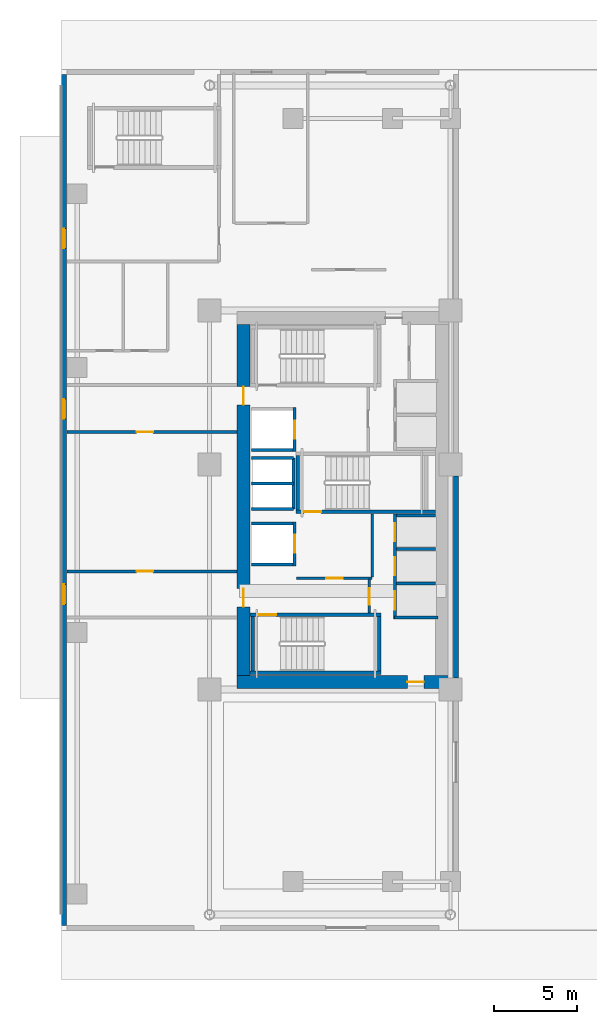
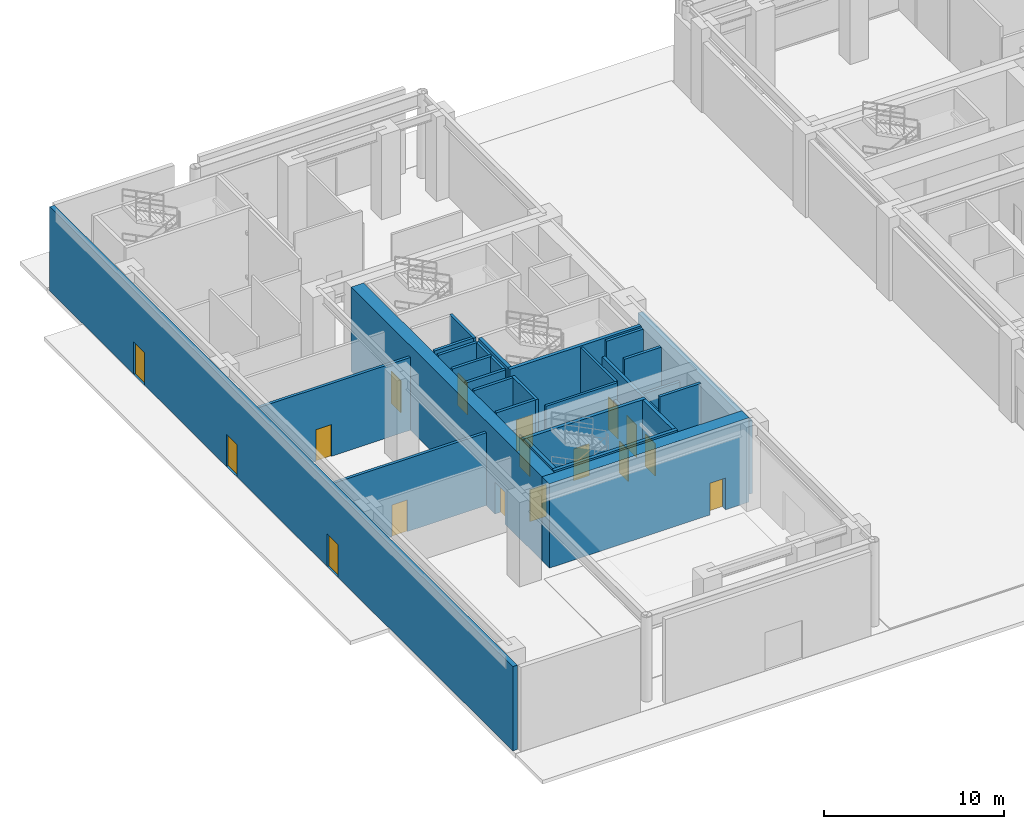
# One storey, part 5 of 17: 29 walls, 17 doors, 17 openings.
"""IFC4 building model written with IfcOpenShell, lengths in metres."""

from ifc_helpers import new_model, si_unit, direction, frame, frame_2d, origin, place, context, subcontext, project, spatial, rectangle, extrude, source, transform, mapped, material, layer, layer_set, type_object, element, fill, save


model = new_model("IFC4")

# Units and contexts
model_context = context("Model", 3, precision=1e-05, world=origin(), true_north=direction((0.0, 1.0)))
body_context = subcontext(model_context, "Body", "Model", "MODEL_VIEW")
ifc_project = project(units=[si_unit("LENGTHUNIT", "METRE"), si_unit("AREAUNIT", "SQUARE_METRE"), si_unit("VOLUMEUNIT", "CUBIC_METRE"), si_unit("PLANEANGLEUNIT", "RADIAN"), si_unit("MASSUNIT", "GRAM", prefix="KILO")], contexts=[model_context])

# Site, building, storey
site_placement = place(None, origin())
site = spatial("IfcSite", under=ifc_project, at=site_placement, CompositionType="ELEMENT")
building_placement = place(site_placement, origin())
building = spatial("IfcBuilding", under=site, at=building_placement, Name="Ocotamira Hotel", CompositionType="ELEMENT")
storey_placement = place(building_placement, origin())
storey = spatial("IfcBuildingStorey", under=building, at=storey_placement, Name="L01", CompositionType="ELEMENT", Elevation=0.0)

# Wall, opening, door
ifc_material_1 = material(Name="Concrete C60/75", Category="concrete")
ifc_layer_1 = layer(ifc_material_1, 0.800048828125)
ifc_layer_set_1 = layer_set([ifc_layer_1], Name="Concrete C60/75")
wall_type_1 = type_object("IfcWallType", Name="WL-CORE-800", PredefinedType="SHEAR", material=ifc_layer_set_1)
wall_1_placement = place(storey_placement, frame((10.60009765625, 15.0, 0.0), z_axis=(0.0, 0.0, 1.0), x_axis=(1.0, 0.0, 0.0)))
wall_1 = element("IfcWall", 1, at=wall_1_placement, inside=storey, type_object=wall_type_1, Name="L01 Shear Core Wall WCORE-S", PredefinedType="SHEAR", context=body_context, shape_type="SweptSolid", body=[
    extrude(rectangle(XDim=12.7998046875, YDim=0.800048828125, at=frame_2d((6.39990234375, 0.0))), origin(), (0.0, 0.0, 1.0), 5.7099609375),
])
opening_1_placement = place(wall_1_placement, frame((10.300048828125, 0.0, 0.0)))
opening_1 = element("IfcOpeningElement", 2, at=opening_1_placement, cuts=wall_1, Name="Opening D-FR2", PredefinedType="OPENING", context=body_context, shape_type="SweptSolid", body=[
    extrude(rectangle(XDim=1.0, YDim=2.14990234375, at=frame_2d((0.5, 1.074951171875))), frame((0.0, 0.41015625, 0.0), z_axis=(0.0, -1.0, 0.0), x_axis=(1.0, 0.0, 0.0)), (0.0, 0.0, 1.0), 0.820068359375),
])
ifc_material_2 = material(Name="Fire-rated acoustic timber-veneer door", Category="wood")
door_type_1 = type_object("IfcDoorType", Name="DR-FIRE-1000", OperationType="NOTDEFINED", PredefinedType="DOOR", material=ifc_material_2)
shared_shape_1 = source(origin(), body_context, "Body", "SweptSolid", [
    extrude(rectangle(XDim=1.0, YDim=2.14990234375, at=frame_2d((0.5, 1.074951171875))), frame((0.0, 0.02490234375, 0.0), z_axis=(0.0, -1.0, 0.0), x_axis=(1.0, 0.0, 0.0)), (0.0, 0.0, 1.0), 0.050048828125),
])
door_1_placement = place(opening_1_placement, origin())
door_1 = element("IfcDoor", 3, at=door_1_placement, inside=storey, type_object=door_type_1, Name="L01 Door ID-L01-WLOB-S-D [ID-L01-WLOB-S-D]", OperationType="SINGLE_SWING_LEFT", OverallHeight=2.14990234375, OverallWidth=1.0, PredefinedType="DOOR", context=body_context, shape_type="MappedRepresentation", body=[
    mapped(shared_shape_1, transform((0.0, 0.0, 0.0), scale=1.0)),
])
fill(opening_1, door_1)

# Wall, openings, doors
wall_2_placement = place(storey_placement, frame((11.0, 15.39990234375, 0.0), z_axis=(0.0, 0.0, 1.0), x_axis=(0.0, 1.0, 0.0)))
wall_2 = element("IfcWall", 4, at=wall_2_placement, inside=storey, type_object=wall_type_1, Name="L01 Shear Core Wall WCORE-W", PredefinedType="SHEAR", context=body_context, shape_type="SweptSolid", body=[
    extrude(rectangle(XDim=21.2001953125, YDim=0.800048828125, at=frame_2d((10.60009765625, 0.0))), origin(), (0.0, 0.0, 1.0), 5.7099609375),
])
opening_2_placement = place(wall_2_placement, frame((4.14990234375, 0.0, 0.0)))
opening_2 = element("IfcOpeningElement", 5, at=opening_2_placement, cuts=wall_2, Name="Opening D-FR1", PredefinedType="OPENING", context=body_context, shape_type="SweptSolid", body=[
    extrude(rectangle(XDim=1.10009765625, YDim=2.14990234375, at=frame_2d((0.550048828125, 1.074951171875))), frame((0.0, 0.41015625, 0.0), z_axis=(0.0, -1.0, 0.0), x_axis=(1.0, 0.0, 0.0)), (0.0, 0.0, 1.0), 0.820068359375),
])
opening_3_placement = place(wall_2_placement, frame((16.35009765625, 0.0, 0.0)))
opening_3 = element("IfcOpeningElement", 6, at=opening_3_placement, cuts=wall_2, Name="Opening D-FR1", PredefinedType="OPENING", context=body_context, shape_type="SweptSolid", body=[
    extrude(rectangle(XDim=1.10009765625, YDim=2.14990234375, at=frame_2d((0.550048828125, 1.074951171875))), frame((0.0, 0.41015625, 0.0), z_axis=(0.0, -1.0, 0.0), x_axis=(1.0, 0.0, 0.0)), (0.0, 0.0, 1.0), 0.820068359375),
])
door_type_2 = type_object("IfcDoorType", Name="DR-FIRE-1100", OperationType="NOTDEFINED", PredefinedType="DOOR", material=ifc_material_2)
shared_shape_2 = source(origin(), body_context, "Body", "SweptSolid", [
    extrude(rectangle(XDim=1.10009765625, YDim=2.14990234375, at=frame_2d((0.550048828125, 1.074951171875))), frame((0.0, 0.02490234375, 0.0), z_axis=(0.0, -1.0, 0.0), x_axis=(1.0, 0.0, 0.0)), (0.0, 0.0, 1.0), 0.050048828125),
])
door_2_placement = place(opening_2_placement, origin())
door_2 = element("IfcDoor", 7, at=door_2_placement, inside=storey, type_object=door_type_2, Name="L01 Door ID-L01-EXP1-CORED [ID-L01-EXP1-CORED]", OperationType="SINGLE_SWING_RIGHT", OverallHeight=2.14990234375, OverallWidth=1.10009765625, PredefinedType="DOOR", context=body_context, shape_type="MappedRepresentation", body=[
    mapped(shared_shape_2, transform((0.0, 0.0, 0.0), scale=1.0)),
])
fill(opening_2, door_2)
door_3_placement = place(opening_3_placement, origin())
door_3 = element("IfcDoor", 8, at=door_3_placement, inside=storey, type_object=door_type_2, Name="L01 Door ID-L01-EXP2-CORED [ID-L01-EXP2-CORED]", OperationType="SINGLE_SWING_LEFT", OverallHeight=2.14990234375, OverallWidth=1.10009765625, PredefinedType="DOOR", context=body_context, shape_type="MappedRepresentation", body=[
    mapped(shared_shape_2, transform((0.0, 0.0, 0.0), scale=1.0)),
])
fill(opening_3, door_3)

ifc_material_3 = material(Name="Travertine-clad precast concrete C45/55", Category="masonry")
ifc_layer_2 = layer(ifc_material_3, 0.300048828125)
ifc_layer_set_2 = layer_set([ifc_layer_2], Name="Travertine-clad precast concrete C45/55")
wall_type_2 = type_object("IfcWallType", Name="WL-EXT-POD-300", PredefinedType="SOLIDWALL", material=ifc_layer_set_2)
wall_3_placement = place(storey_placement, frame((0.14990234375, 0.300048828125, 0.0), z_axis=(0.0, 0.0, 1.0), x_axis=(0.0, 1.0, 0.0)))
wall_3 = element("IfcWall", 9, at=wall_3_placement, inside=storey, type_object=wall_type_2, Name="L01 West Podium Travertine Wall", PredefinedType="SOLIDWALL", context=body_context, shape_type="SweptSolid", body=[
    extrude(rectangle(XDim=51.39990234375, YDim=0.300048828125, at=frame_2d((25.699951171875, 0.0))), origin(), (0.0, 0.0, 1.0), 5.7099609375),
])
opening_4_placement = place(wall_3_placement, frame((19.39990234375, 0.0, 0.0)))
opening_4 = element("IfcOpeningElement", 10, at=opening_4_placement, cuts=wall_3, Name="Opening ED-2", PredefinedType="OPENING", context=body_context, shape_type="SweptSolid", body=[
    extrude(rectangle(XDim=1.199951171875, YDim=2.199951171875, at=frame_2d((0.60009765625, 1.10009765625))), frame((0.0, 0.16015625, 0.0), z_axis=(0.0, -1.0, 0.0), x_axis=(1.0, 0.0, 0.0)), (0.0, 0.0, 1.0), 0.320068359375),
])
opening_5_placement = place(wall_3_placement, frame((30.60009765625, 0.0, 0.0)))
opening_5 = element("IfcOpeningElement", 11, at=opening_5_placement, cuts=wall_3, Name="Opening ED-2", PredefinedType="OPENING", context=body_context, shape_type="SweptSolid", body=[
    extrude(rectangle(XDim=1.199951171875, YDim=2.199951171875, at=frame_2d((0.60009765625, 1.10009765625))), frame((0.0, 0.16015625, 0.0), z_axis=(0.0, -1.0, 0.0), x_axis=(1.0, 0.0, 0.0)), (0.0, 0.0, 1.0), 0.320068359375),
])
opening_6_placement = place(wall_3_placement, frame((40.89990234375, 0.0, 0.0)))
opening_6 = element("IfcOpeningElement", 12, at=opening_6_placement, cuts=wall_3, Name="Opening ED-2", PredefinedType="OPENING", context=body_context, shape_type="SweptSolid", body=[
    extrude(rectangle(XDim=1.199951171875, YDim=2.199951171875, at=frame_2d((0.60009765625, 1.10009765625))), frame((0.0, 0.16015625, 0.0), z_axis=(0.0, -1.0, 0.0), x_axis=(1.0, 0.0, 0.0)), (0.0, 0.0, 1.0), 0.320068359375),
])
ifc_material_4 = material(Name="Insulated hollow metal steel door", Category="steel")
door_type_3 = type_object("IfcDoorType", Name="DR-EXIT-1200", OperationType="NOTDEFINED", PredefinedType="DOOR", material=ifc_material_4)
shared_shape_3 = source(origin(), body_context, "Body", "SweptSolid", [
    extrude(rectangle(XDim=1.199951171875, YDim=2.199951171875, at=frame_2d((0.60009765625, 1.10009765625))), frame((0.0, 0.02490234375, 0.0), z_axis=(0.0, -1.0, 0.0), x_axis=(1.0, 0.0, 0.0)), (0.0, 0.0, 1.0), 0.050048828125),
])
door_4_placement = place(opening_4_placement, origin())
door_4 = element("IfcDoor", 13, at=door_4_placement, inside=storey, type_object=door_type_3, Name="L01 Exit Stair ST-1 Street Discharge Door [ED-L01-ST1]", OperationType="SINGLE_SWING_LEFT", OverallHeight=2.199951171875, OverallWidth=1.199951171875, PredefinedType="DOOR", context=body_context, shape_type="MappedRepresentation", body=[
    mapped(shared_shape_3, transform((0.0, 0.0, 0.0), scale=1.0)),
])
fill(opening_4, door_4)
door_5_placement = place(opening_5_placement, origin())
door_5 = element("IfcDoor", 14, at=door_5_placement, inside=storey, type_object=door_type_3, Name="L01 Exit Stair ST-2 Street Discharge Door [ED-L01-ST2]", OperationType="SINGLE_SWING_RIGHT", OverallHeight=2.199951171875, OverallWidth=1.199951171875, PredefinedType="DOOR", context=body_context, shape_type="MappedRepresentation", body=[
    mapped(shared_shape_3, transform((0.0, 0.0, 0.0), scale=1.0)),
])
fill(opening_5, door_5)
door_6_placement = place(opening_6_placement, origin())
door_6 = element("IfcDoor", 15, at=door_6_placement, inside=storey, type_object=door_type_3, Name="L01 Exit Stair ST-5 Street Discharge Door [ED-L01-ST5]", OperationType="SINGLE_SWING_LEFT", OverallHeight=2.199951171875, OverallWidth=1.199951171875, PredefinedType="DOOR", context=body_context, shape_type="MappedRepresentation", body=[
    mapped(shared_shape_3, transform((0.0, 0.0, 0.0), scale=1.0)),
])
fill(opening_6, door_6)

# Wall
wall_4_placement = place(storey_placement, frame((23.85009765625, 15.25, 0.0), z_axis=(0.0, 0.0, 1.0), x_axis=(0.0, 1.0, 0.0)))
element("IfcWall", 16, at=wall_4_placement, inside=storey, type_object=wall_type_2, Name="L01 Giant Arch Core Cheek Wall AW-1", PredefinedType="SOLIDWALL", context=body_context, shape_type="SweptSolid", body=[
    extrude(rectangle(XDim=12.199951171875, YDim=0.300048828125, at=frame_2d((6.10009765625, 0.0))), origin(), (0.0, 0.0, 1.0), 4.930908203125),
])

# Wall, opening, door
ifc_material_5 = material(Name="Acoustic double-layer fire gypsum board partition", Category="gypsum")
ifc_layer_3 = layer(ifc_material_5, 0.159912109375)
ifc_layer_set_3 = layer_set([ifc_layer_3], Name="Acoustic double-layer fire gypsum board partition")
wall_type_3 = type_object("IfcWallType", Name="WL-FIRE-160", PredefinedType="PARTITIONING", material=ifc_layer_set_3)
wall_5_placement = place(storey_placement, frame((14.199951171875, 21.27001953125, 0.0), z_axis=(0.0, 0.0, 1.0), x_axis=(1.0, 0.0, 0.0)))
wall_5 = element("IfcWall", 17, at=wall_5_placement, inside=storey, type_object=wall_type_3, Name="L01 Interior Wall PW-L01-FSAE1-S", PredefinedType="PARTITIONING", context=body_context, shape_type="SweptSolid", body=[
    extrude(rectangle(XDim=4.580078125, YDim=0.159912109375, at=frame_2d((2.2900390625, 0.0))), origin(), (0.0, 0.0, 1.0), 5.7099609375),
])
opening_7_placement = place(wall_5_placement, frame((1.800048828125, 0.0, 0.0)))
opening_7 = element("IfcOpeningElement", 18, at=opening_7_placement, cuts=wall_5, Name="Opening D-FR2", PredefinedType="OPENING", context=body_context, shape_type="SweptSolid", body=[
    extrude(rectangle(XDim=1.0, YDim=2.14990234375, at=frame_2d((0.5, 1.074951171875))), frame((0.0, 0.08984375, 0.0), z_axis=(0.0, -1.0, 0.0), x_axis=(1.0, 0.0, 0.0)), (0.0, 0.0, 1.0), 0.179931640625),
])
door_7_placement = place(opening_7_placement, origin())
door_7 = element("IfcDoor", 19, at=door_7_placement, inside=storey, type_object=door_type_1, Name="L01 Door ID-L01-FSAE1-D [ID-L01-FSAE1-D]", OperationType="SINGLE_SWING_LEFT", OverallHeight=2.14990234375, OverallWidth=1.0, PredefinedType="DOOR", context=body_context, shape_type="MappedRepresentation", body=[
    mapped(shared_shape_1, transform((0.0, 0.0, 0.0), scale=1.0)),
])
fill(opening_7, door_7)

# Wall
wall_6_placement = place(storey_placement, frame((18.780029296875, 21.35009765625, 0.0), z_axis=(0.0, 0.0, 1.0), x_axis=(0.0, 1.0, 0.0)))
element("IfcWall", 20, at=wall_6_placement, inside=storey, type_object=wall_type_3, Name="L01 Interior Wall PW-L01-FSAE1-E", PredefinedType="PARTITIONING", context=body_context, shape_type="SweptSolid", body=[
    extrude(rectangle(XDim=3.809814453125, YDim=0.159912109375, at=frame_2d((1.90478515625, 0.0))), origin(), (0.0, 0.0, 1.0), 5.7099609375),
])

# Wall, openings, doors
ifc_material_6 = material(Name="Fire-rated gypsum shaftliner board assembly", Category="gypsum")
ifc_layer_4 = layer(ifc_material_6, 0.179931640625)
ifc_layer_set_4 = layer_set([ifc_layer_4], Name="Fire-rated gypsum shaftliner board assembly")
wall_type_4 = type_object("IfcWallType", Name="WL-SHAFT-180", PredefinedType="SOLIDWALL", material=ifc_layer_set_4)
wall_7_placement = place(storey_placement, frame((20.159912109375, 18.820068359375, 0.0), z_axis=(0.0, 0.0, 1.0), x_axis=(0.0, 1.0, 0.0)))
wall_7 = element("IfcWall", 21, at=wall_7_placement, inside=storey, type_object=wall_type_4, Name="L01 Interior Wall PW-L01-LFW-BANK-high-F", PredefinedType="SOLIDWALL", context=body_context, shape_type="SweptSolid", body=[
    extrude(rectangle(XDim=6.31982421875, YDim=0.179931640625, at=frame_2d((3.159912109375, 0.0))), origin(), (0.0, 0.0, 1.0), 4.610107421875),
])
opening_8_placement = place(wall_7_placement, frame((0.554931640625, 0.0, 0.0)))
opening_8 = element("IfcOpeningElement", 22, at=opening_8_placement, cuts=wall_7, Name="Opening LD-LF-P7", PredefinedType="OPENING", context=body_context, shape_type="SweptSolid", body=[
    extrude(rectangle(XDim=1.10009765625, YDim=2.199951171875, at=frame_2d((0.550048828125, 1.10009765625))), frame((0.0, 0.10009765625, 0.0), z_axis=(0.0, -1.0, 0.0), x_axis=(1.0, 0.0, 0.0)), (0.0, 0.0, 1.0), 0.199951171875),
])
opening_9_placement = place(wall_7_placement, frame((2.635009765625, 0.0, 0.0)))
opening_9 = element("IfcOpeningElement", 23, at=opening_9_placement, cuts=wall_7, Name="Opening LD-LF-P8", PredefinedType="OPENING", context=body_context, shape_type="SweptSolid", body=[
    extrude(rectangle(XDim=1.10009765625, YDim=2.199951171875, at=frame_2d((0.550048828125, 1.10009765625))), frame((0.0, 0.10009765625, 0.0), z_axis=(0.0, -1.0, 0.0), x_axis=(1.0, 0.0, 0.0)), (0.0, 0.0, 1.0), 0.199951171875),
])
opening_10_placement = place(wall_7_placement, frame((4.68994140625, 0.0, 0.0)))
opening_10 = element("IfcOpeningElement", 24, at=opening_10_placement, cuts=wall_7, Name="Opening LD-LF-P9", PredefinedType="OPENING", context=body_context, shape_type="SweptSolid", body=[
    extrude(rectangle(XDim=1.10009765625, YDim=2.199951171875, at=frame_2d((0.550048828125, 1.10009765625))), frame((0.0, 0.10009765625, 0.0), z_axis=(0.0, -1.0, 0.0), x_axis=(1.0, 0.0, 0.0)), (0.0, 0.0, 1.0), 0.199951171875),
])
ifc_material_7 = material(Name="Brushed pale-metal stainless elevator landing door", Category="steel")
door_type_4 = type_object("IfcDoorType", Name="DR-LIFT-1100", OperationType="NOTDEFINED", PredefinedType="DOOR", material=ifc_material_7)
shared_shape_4 = source(origin(), body_context, "Body", "SweptSolid", [
    extrude(rectangle(XDim=1.10009765625, YDim=2.199951171875, at=frame_2d((0.550048828125, 1.10009765625))), frame((0.0, 0.02490234375, 0.0), z_axis=(0.0, -1.0, 0.0), x_axis=(1.0, 0.0, 0.0)), (0.0, 0.0, 1.0), 0.050048828125),
])
door_8_placement = place(opening_8_placement, origin())
door_8 = element("IfcDoor", 25, at=door_8_placement, inside=storey, type_object=door_type_4, Name="L01 Landing Door LD-LF-P7 [ID-L01-LD-LF-P7]", OperationType="DOUBLE_DOOR_SLIDING", OverallHeight=2.199951171875, OverallWidth=1.10009765625, PredefinedType="DOOR", context=body_context, shape_type="MappedRepresentation", body=[
    mapped(shared_shape_4, transform((0.0, 0.0, 0.0), scale=1.0)),
])
fill(opening_8, door_8)
door_9_placement = place(opening_9_placement, origin())
door_9 = element("IfcDoor", 26, at=door_9_placement, inside=storey, type_object=door_type_4, Name="L01 Landing Door LD-LF-P8 [ID-L01-LD-LF-P8]", OperationType="DOUBLE_DOOR_SLIDING", OverallHeight=2.199951171875, OverallWidth=1.10009765625, PredefinedType="DOOR", context=body_context, shape_type="MappedRepresentation", body=[
    mapped(shared_shape_4, transform((0.0, 0.0, 0.0), scale=1.0)),
])
fill(opening_9, door_9)
door_10_placement = place(opening_10_placement, origin())
door_10 = element("IfcDoor", 27, at=door_10_placement, inside=storey, type_object=door_type_4, Name="L01 Landing Door LD-LF-P9 [ID-L01-LD-LF-P9]", OperationType="DOUBLE_DOOR_SLIDING", OverallHeight=2.199951171875, OverallWidth=1.10009765625, PredefinedType="DOOR", context=body_context, shape_type="MappedRepresentation", body=[
    mapped(shared_shape_4, transform((0.0, 0.0, 0.0), scale=1.0)),
])
fill(opening_10, door_10)

# Walls
wall_8_placement = place(storey_placement, frame((20.1201171875, 18.909912109375, 0.0), z_axis=(0.0, 0.0, 1.0), x_axis=(1.0, 0.0, 0.0)))
element("IfcWall", 28, at=wall_8_placement, inside=storey, type_object=wall_type_4, Name="L01 Interior Wall PW-L01-LFW-BANK-high-S", PredefinedType="SOLIDWALL", context=body_context, shape_type="SweptSolid", body=[
    extrude(rectangle(XDim=2.6298828125, YDim=0.179931640625, at=frame_2d((1.31494140625, 0.0))), origin(), (0.0, 0.0, 1.0), 5.7099609375),
])
wall_9_placement = place(storey_placement, frame((20.25, 25.050048828125, 0.0), z_axis=(0.0, 0.0, 1.0), x_axis=(1.0, 0.0, 0.0)))
element("IfcWall", 29, at=wall_9_placement, inside=storey, type_object=wall_type_4, Name="L01 Interior Wall PW-L01-LFW-BANK-high-N", PredefinedType="SOLIDWALL", context=body_context, shape_type="SweptSolid", body=[
    extrude(rectangle(XDim=2.360107421875, YDim=0.179931640625, at=frame_2d((1.18017578125, 0.0))), origin(), (0.0, 0.0, 1.0), 5.7099609375),
])
wall_10_placement = place(storey_placement, frame((20.25, 20.965087890625, 0.0), z_axis=(0.0, 0.0, 1.0), x_axis=(1.0, 0.0, 0.0)))
element("IfcWall", 30, at=wall_10_placement, inside=storey, type_object=wall_type_4, Name="L01 Interior Wall PW-L01-LFW-DIV-LF-P7", PredefinedType="SOLIDWALL", context=body_context, shape_type="SweptSolid", body=[
    extrude(rectangle(XDim=2.360107421875, YDim=0.179931640625, at=frame_2d((1.18017578125, 0.0))), origin(), (0.0, 0.0, 1.0), 4.610107421875),
])
wall_11_placement = place(storey_placement, frame((20.25, 23.044921875, 0.0), z_axis=(0.0, 0.0, 1.0), x_axis=(1.0, 0.0, 0.0)))
element("IfcWall", 31, at=wall_11_placement, inside=storey, type_object=wall_type_4, Name="L01 Interior Wall PW-L01-LFW-DIV-LF-P8", PredefinedType="SOLIDWALL", context=body_context, shape_type="SweptSolid", body=[
    extrude(rectangle(XDim=2.360107421875, YDim=0.179931640625, at=frame_2d((1.18017578125, 0.0))), origin(), (0.0, 0.0, 1.0), 5.7099609375),
])
for number, where, z_axis, x_axis, name in (
    (32, (11.5, 22.110107421875, 0.0), (0.0, 0.0, 1.0), (1.0, 0.0, 0.0), "L01 Interior Wall PW-L01-LFW-LF-FSAE1-S"),
    (33, (11.5, 24.590087890625, 0.0), (0.0, 0.0, 1.0), (1.0, 0.0, 0.0), "L01 Interior Wall PW-L01-LFW-LF-FSAE1-N"),
):
    element("IfcWall", number, at=place(storey_placement, frame(where, z_axis=z_axis, x_axis=x_axis)), inside=storey, type_object=wall_type_4, Name=name, PredefinedType="SOLIDWALL", context=body_context, shape_type="SweptSolid", body=[
        extrude(rectangle(XDim=2.5, YDim=0.179931640625, at=frame_2d((1.25, 0.0))), origin(), (0.0, 0.0, 1.0), 5.7099609375),
    ])

# Wall, opening, door
wall_12_placement = place(storey_placement, frame((14.090087890625, 22.02001953125, 0.0), z_axis=(0.0, 0.0, 1.0), x_axis=(0.0, 1.0, 0.0)))
wall_12 = element("IfcWall", 34, at=wall_12_placement, inside=storey, type_object=wall_type_4, Name="L01 Interior Wall PW-L01-LFW-LF-FSAE1-E", PredefinedType="SOLIDWALL", context=body_context, shape_type="SweptSolid", body=[
    extrude(rectangle(XDim=2.659912109375, YDim=0.179931640625, at=frame_2d((1.330078125, 0.0))), origin(), (0.0, 0.0, 1.0), 5.7099609375),
])
opening_11_placement = place(wall_12_placement, frame((0.780029296875, 0.0, 0.0)))
opening_11 = element("IfcOpeningElement", 35, at=opening_11_placement, cuts=wall_12, Name="Opening LD-LF-FSAE1", PredefinedType="OPENING", context=body_context, shape_type="SweptSolid", body=[
    extrude(rectangle(XDim=1.10009765625, YDim=2.199951171875, at=frame_2d((0.550048828125, 1.10009765625))), frame((0.0, 0.10009765625, 0.0), z_axis=(0.0, -1.0, 0.0), x_axis=(1.0, 0.0, 0.0)), (0.0, 0.0, 1.0), 0.199951171875),
])
door_11_placement = place(opening_11_placement, origin())
door_11 = element("IfcDoor", 36, at=door_11_placement, inside=storey, type_object=door_type_4, Name="L01 Landing Door LD-LF-FSAE1 [ID-L01-LD-LF-FSAE1]", OperationType="DOUBLE_DOOR_SLIDING", OverallHeight=2.199951171875, OverallWidth=1.10009765625, PredefinedType="DOOR", context=body_context, shape_type="MappedRepresentation", body=[
    mapped(shared_shape_4, transform((0.0, 0.0, 0.0), scale=1.0)),
])
fill(opening_11, door_11)

# Wall
wall_13_placement = place(storey_placement, frame((11.5, 29.010009765625, 0.0), z_axis=(0.0, 0.0, 1.0), x_axis=(1.0, 0.0, 0.0)))
element("IfcWall", 37, at=wall_13_placement, inside=storey, type_object=wall_type_4, Name="L01 Interior Wall PW-L01-LFW-LF-FSAE2-S", PredefinedType="SOLIDWALL", context=body_context, shape_type="SweptSolid", body=[
    extrude(rectangle(XDim=2.5, YDim=0.179931640625, at=frame_2d((1.25, 0.0))), origin(), (0.0, 0.0, 1.0), 5.7099609375),
])

# Wall, opening, door
wall_14_placement = place(storey_placement, frame((14.090087890625, 28.919921875, 0.0), z_axis=(0.0, 0.0, 1.0), x_axis=(0.0, 1.0, 0.0)))
wall_14 = element("IfcWall", 38, at=wall_14_placement, inside=storey, type_object=wall_type_4, Name="L01 Interior Wall PW-L01-LFW-LF-FSAE2-E", PredefinedType="SOLIDWALL", context=body_context, shape_type="SweptSolid", body=[
    extrude(rectangle(XDim=2.66015625, YDim=0.179931640625, at=frame_2d((1.330078125, 0.0))), origin(), (0.0, 0.0, 1.0), 5.7099609375),
])
opening_12_placement = place(wall_14_placement, frame((0.780029296875, 0.0, 0.0)))
opening_12 = element("IfcOpeningElement", 39, at=opening_12_placement, cuts=wall_14, Name="Opening LD-LF-FSAE2", PredefinedType="OPENING", context=body_context, shape_type="SweptSolid", body=[
    extrude(rectangle(XDim=1.10009765625, YDim=2.199951171875, at=frame_2d((0.550048828125, 1.10009765625))), frame((0.0, 0.10009765625, 0.0), z_axis=(0.0, -1.0, 0.0), x_axis=(1.0, 0.0, 0.0)), (0.0, 0.0, 1.0), 0.199951171875),
])
door_12_placement = place(opening_12_placement, origin())
door_12 = element("IfcDoor", 40, at=door_12_placement, inside=storey, type_object=door_type_4, Name="L01 Landing Door LD-LF-FSAE2 [ID-L01-LD-LF-FSAE2]", OperationType="DOUBLE_DOOR_SLIDING", OverallHeight=2.199951171875, OverallWidth=1.10009765625, PredefinedType="DOOR", context=body_context, shape_type="MappedRepresentation", body=[
    mapped(shared_shape_4, transform((0.0, 0.0, 0.0), scale=1.0)),
])
fill(opening_12, door_12)

# Walls
for number, where, z_axis, x_axis, name in (
    (41, (11.5, 25.4599609375, 0.0), (0.0, 0.0, 1.0), (1.0, 0.0, 0.0), "L01 Interior Wall PW-L01-RSW-S"),
    (42, (11.5, 27.0, 0.0), (0.0, 0.0, 1.0), (1.0, 0.0, 0.0), "L01 Interior Wall PW-L01-RSW-MID"),
    (43, (11.5, 28.5400390625, 0.0), (0.0, 0.0, 1.0), (1.0, 0.0, 0.0), "L01 Interior Wall PW-L01-RSW-N"),
):
    element("IfcWall", number, at=place(storey_placement, frame(where, z_axis=z_axis, x_axis=x_axis)), inside=storey, type_object=wall_type_4, Name=name, PredefinedType="SOLIDWALL", context=body_context, shape_type="SweptSolid", body=[
        extrude(rectangle(XDim=2.510009765625, YDim=0.179931640625, at=frame_2d((1.2548828125, 0.0))), origin(), (0.0, 0.0, 1.0), 5.7099609375),
    ])
wall_15_placement = place(storey_placement, frame((14.010009765625, 25.4599609375, 0.0), z_axis=(0.0, 0.0, 1.0), x_axis=(0.0, 1.0, 0.0)))
element("IfcWall", 44, at=wall_15_placement, inside=storey, type_object=wall_type_4, Name="L01 Interior Wall PW-L01-RSW-E", PredefinedType="SOLIDWALL", context=body_context, shape_type="SweptSolid", body=[
    extrude(rectangle(XDim=3.080078125, YDim=0.179931640625, at=frame_2d((1.5400390625, 0.0))), origin(), (0.0, 0.0, 1.0), 5.7099609375),
])

# Wall, opening, door
wall_16_placement = place(storey_placement, frame((18.60009765625, 19.159912109375, 0.0), z_axis=(0.0, 0.0, 1.0), x_axis=(0.0, 1.0, 0.0)))
wall_16 = element("IfcWall", 45, at=wall_16_placement, inside=storey, type_object=wall_type_4, Name="L01 Interior Wall PW-L01-EXP1-VE", PredefinedType="SOLIDWALL", context=body_context, shape_type="SweptSolid", body=[
    extrude(rectangle(XDim=2.06005859375, YDim=0.179931640625, at=frame_2d((1.030029296875, 0.0))), origin(), (0.0, 0.0, 1.0), 4.610107421875),
])
opening_13_placement = place(wall_16_placement, frame((0.5, 0.0, 0.0)))
opening_13 = element("IfcOpeningElement", 46, at=opening_13_placement, cuts=wall_16, Name="Opening D-FR2", PredefinedType="OPENING", context=body_context, shape_type="SweptSolid", body=[
    extrude(rectangle(XDim=1.0, YDim=2.14990234375, at=frame_2d((0.5, 1.074951171875))), frame((0.0, 0.10009765625, 0.0), z_axis=(0.0, -1.0, 0.0), x_axis=(1.0, 0.0, 0.0)), (0.0, 0.0, 1.0), 0.199951171875),
])
door_13_placement = place(opening_13_placement, origin())
door_13 = element("IfcDoor", 47, at=door_13_placement, inside=storey, type_object=door_type_1, Name="L01 Door ID-L01-EXP1-VD [ID-L01-EXP1-VD]", OperationType="SINGLE_SWING_LEFT", OverallHeight=2.14990234375, OverallWidth=1.0, PredefinedType="DOOR", context=body_context, shape_type="MappedRepresentation", body=[
    mapped(shared_shape_1, transform((0.0, 0.0, 0.0), scale=1.0)),
])
fill(opening_13, door_13)

wall_17_placement = place(storey_placement, frame((0.35009765625, 21.68994140625, 0.0), z_axis=(0.0, 0.0, 1.0), x_axis=(1.0, 0.0, 0.0)))
wall_17 = element("IfcWall", 48, at=wall_17_placement, inside=storey, type_object=wall_type_4, Name="L01 Interior Wall PW-L01-L01-EXP1-N", PredefinedType="SOLIDWALL", context=body_context, shape_type="SweptSolid", body=[
    extrude(rectangle(XDim=10.25, YDim=0.179931640625, at=frame_2d((5.125, 0.0))), origin(), (0.0, 0.0, 1.0), 4.930908203125),
])
opening_14_placement = place(wall_17_placement, frame((4.199951171875, 0.0, 0.0)))
opening_14 = element("IfcOpeningElement", 49, at=opening_14_placement, cuts=wall_17, Name="Opening D-FR2", PredefinedType="OPENING", context=body_context, shape_type="SweptSolid", body=[
    extrude(rectangle(XDim=1.0, YDim=2.14990234375, at=frame_2d((0.5, 1.074951171875))), frame((0.0, 0.10009765625, 0.0), z_axis=(0.0, -1.0, 0.0), x_axis=(1.0, 0.0, 0.0)), (0.0, 0.0, 1.0), 0.199951171875),
])
door_14_placement = place(opening_14_placement, origin())
door_14 = element("IfcDoor", 50, at=door_14_placement, inside=storey, type_object=door_type_1, Name="L01 Door ID-L01-L01-EXP1-CD [ID-L01-L01-EXP1-CD]", OperationType="SINGLE_SWING_LEFT", OverallHeight=2.14990234375, OverallWidth=1.0, PredefinedType="DOOR", context=body_context, shape_type="MappedRepresentation", body=[
    mapped(shared_shape_1, transform((0.0, 0.0, 0.0), scale=1.0)),
])
fill(opening_14, door_14)

wall_18_placement = place(storey_placement, frame((0.35009765625, 30.110107421875, 0.0), z_axis=(0.0, 0.0, 1.0), x_axis=(1.0, 0.0, 0.0)))
wall_18 = element("IfcWall", 51, at=wall_18_placement, inside=storey, type_object=wall_type_4, Name="L01 Interior Wall PW-L01-L01-EXP2-S", PredefinedType="SOLIDWALL", context=body_context, shape_type="SweptSolid", body=[
    extrude(rectangle(XDim=10.25, YDim=0.179931640625, at=frame_2d((5.125, 0.0))), origin(), (0.0, 0.0, 1.0), 4.930908203125),
])
opening_15_placement = place(wall_18_placement, frame((4.199951171875, 0.0, 0.0)))
opening_15 = element("IfcOpeningElement", 52, at=opening_15_placement, cuts=wall_18, Name="Opening D-FR2", PredefinedType="OPENING", context=body_context, shape_type="SweptSolid", body=[
    extrude(rectangle(XDim=1.0, YDim=2.14990234375, at=frame_2d((0.5, 1.074951171875))), frame((0.0, 0.10009765625, 0.0), z_axis=(0.0, -1.0, 0.0), x_axis=(1.0, 0.0, 0.0)), (0.0, 0.0, 1.0), 0.199951171875),
])
door_15_placement = place(opening_15_placement, origin())
door_15 = element("IfcDoor", 53, at=door_15_placement, inside=storey, type_object=door_type_1, Name="L01 Door ID-L01-L01-EXP2-CD [ID-L01-L01-EXP2-CD]", OperationType="SINGLE_SWING_RIGHT", OverallHeight=2.14990234375, OverallWidth=1.0, PredefinedType="DOOR", context=body_context, shape_type="MappedRepresentation", body=[
    mapped(shared_shape_1, transform((0.0, 0.0, 0.0), scale=1.0)),
])
fill(opening_15, door_15)

# Wall
ifc_material_8 = material(Name="Concrete C50/60", Category="concrete")
ifc_layer_5 = layer(ifc_material_8, 0.219970703125)
ifc_layer_set_5 = layer_set([ifc_layer_5], Name="Concrete C50/60")
wall_type_5 = type_object("IfcWallType", Name="WL-STAIR-220", PredefinedType="SHEAR", material=ifc_layer_set_5)
wall_19_placement = place(storey_placement, frame((11.39990234375, 15.56005859375, 0.0), z_axis=(0.0, 0.0, 1.0), x_axis=(1.0, 0.0, 0.0)))
element("IfcWall", 54, at=wall_19_placement, inside=storey, type_object=wall_type_5, Name="L01 Stair Shaft Structural Wall ST-1-S", PredefinedType="SHEAR", context=body_context, shape_type="SweptSolid", body=[
    extrude(rectangle(XDim=7.91015625, YDim=0.219970703125, at=frame_2d((3.955078125, 0.0))), origin(), (0.0, 0.0, 1.0), 5.800048828125),
])

# Wall, opening, door
wall_20_placement = place(storey_placement, frame((11.39990234375, 19.06005859375, 0.0), z_axis=(0.0, 0.0, 1.0), x_axis=(1.0, 0.0, 0.0)))
wall_20 = element("IfcWall", 55, at=wall_20_placement, inside=storey, type_object=wall_type_5, Name="L01 Stair Shaft Structural Wall ST-1-N", PredefinedType="SHEAR", context=body_context, shape_type="SweptSolid", body=[
    extrude(rectangle(XDim=7.91015625, YDim=0.219970703125, at=frame_2d((3.955078125, 0.0))), origin(), (0.0, 0.0, 1.0), 5.800048828125),
])
opening_16_placement = place(wall_20_placement, frame((0.52001953125, 0.0, 0.0)))
opening_16 = element("IfcOpeningElement", 56, at=opening_16_placement, cuts=wall_20, Name="Opening D-ST2", PredefinedType="OPENING", context=body_context, shape_type="SweptSolid", body=[
    extrude(rectangle(XDim=1.050048828125, YDim=2.14990234375, at=frame_2d((0.52490234375, 1.074951171875))), frame((0.0, 0.1201171875, 0.0), z_axis=(0.0, -1.0, 0.0), x_axis=(1.0, 0.0, 0.0)), (0.0, 0.0, 1.0), 0.239990234375),
])
ifc_material_9 = material(Name="Insulated painted hollow-metal fire exit door", Category="steel")
door_type_5 = type_object("IfcDoorType", Name="DR-STAIR-1050", OperationType="NOTDEFINED", PredefinedType="DOOR", material=ifc_material_9)
shared_shape_5 = source(origin(), body_context, "Body", "SweptSolid", [
    extrude(rectangle(XDim=1.050048828125, YDim=2.14990234375, at=frame_2d((0.52490234375, 1.074951171875))), frame((0.0, 0.02490234375, 0.0), z_axis=(0.0, -1.0, 0.0), x_axis=(1.0, 0.0, 0.0)), (0.0, 0.0, 1.0), 0.050048828125),
])
door_16_placement = place(opening_16_placement, origin())
door_16 = element("IfcDoor", 57, at=door_16_placement, inside=storey, type_object=door_type_5, Name="L01 Door ID-L01-STD-ST-1 [ID-L01-STD-ST-1]", OperationType="SINGLE_SWING_RIGHT", OverallHeight=2.14990234375, OverallWidth=1.050048828125, PredefinedType="DOOR", context=body_context, shape_type="MappedRepresentation", body=[
    mapped(shared_shape_5, transform((0.0, 0.0, 0.0), scale=1.0)),
])
fill(opening_16, door_16)

# Walls
for number, where, z_axis, x_axis, name in (
    (58, (11.56005859375, 15.669921875, 0.0), (0.0, 0.0, 1.0), (0.0, 1.0, 0.0), "L01 Stair Shaft Structural Wall ST-1-W"),
    (59, (19.199951171875, 15.669921875, 0.0), (0.0, 0.0, 1.0), (0.0, 1.0, 0.0), "L01 Stair Shaft Structural Wall ST-1-E"),
):
    element("IfcWall", number, at=place(storey_placement, frame(where, z_axis=z_axis, x_axis=x_axis)), inside=storey, type_object=wall_type_5, Name=name, PredefinedType="SHEAR", context=body_context, shape_type="SweptSolid", body=[
        extrude(rectangle(XDim=3.280029296875, YDim=0.219970703125, at=frame_2d((1.64013671875, 0.0))), origin(), (0.0, 0.0, 1.0), 5.800048828125),
    ])

# Wall, opening, door
wall_21_placement = place(storey_placement, frame((14.179931640625, 25.2900390625, 0.0), z_axis=(0.0, 0.0, 1.0), x_axis=(1.0, 0.0, 0.0)))
wall_21 = element("IfcWall", 60, at=wall_21_placement, inside=storey, type_object=wall_type_5, Name="L01 Stair Shaft Structural Wall ST-3-S", PredefinedType="SHEAR", context=body_context, shape_type="SweptSolid", body=[
    extrude(rectangle(XDim=8.420166015625, YDim=0.219970703125, at=frame_2d((4.2099609375, 0.0))), origin(), (0.0, 0.0, 1.0), 5.800048828125),
])
opening_17_placement = place(wall_21_placement, frame((0.469970703125, 0.0, 0.0)))
opening_17 = element("IfcOpeningElement", 61, at=opening_17_placement, cuts=wall_21, Name="Opening D-ST2", PredefinedType="OPENING", context=body_context, shape_type="SweptSolid", body=[
    extrude(rectangle(XDim=1.050048828125, YDim=2.14990234375, at=frame_2d((0.52490234375, 1.074951171875))), frame((0.0, 0.1201171875, 0.0), z_axis=(0.0, -1.0, 0.0), x_axis=(1.0, 0.0, 0.0)), (0.0, 0.0, 1.0), 0.239990234375),
])
door_17_placement = place(opening_17_placement, origin())
door_17 = element("IfcDoor", 62, at=door_17_placement, inside=storey, type_object=door_type_5, Name="L01 Door ID-L01-STD-ST-3 [ID-L01-STD-ST-3]", OperationType="SINGLE_SWING_RIGHT", OverallHeight=2.14990234375, OverallWidth=1.050048828125, PredefinedType="DOOR", context=body_context, shape_type="MappedRepresentation", body=[
    mapped(shared_shape_5, transform((0.0, 0.0, 0.0), scale=1.0)),
])
fill(opening_17, door_17)

# Wall
wall_22_placement = place(storey_placement, frame((14.2900390625, 25.39990234375, 0.0), z_axis=(0.0, 0.0, 1.0), x_axis=(0.0, 1.0, 0.0)))
element("IfcWall", 63, at=wall_22_placement, inside=storey, type_object=wall_type_5, Name="L01 Stair Shaft Structural Wall ST-3-W", PredefinedType="SHEAR", context=body_context, shape_type="SweptSolid", body=[
    extrude(rectangle(XDim=3.280029296875, YDim=0.219970703125, at=frame_2d((1.64013671875, 0.0))), origin(), (0.0, 0.0, 1.0), 5.800048828125),
])

save(model, "model.ifc")
